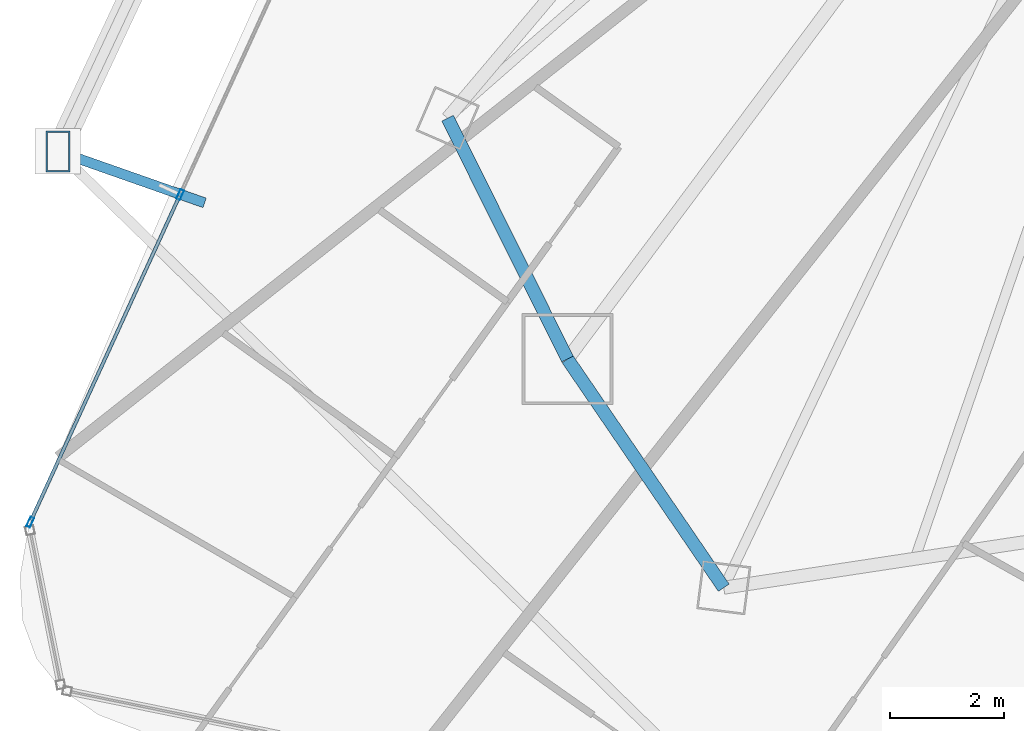
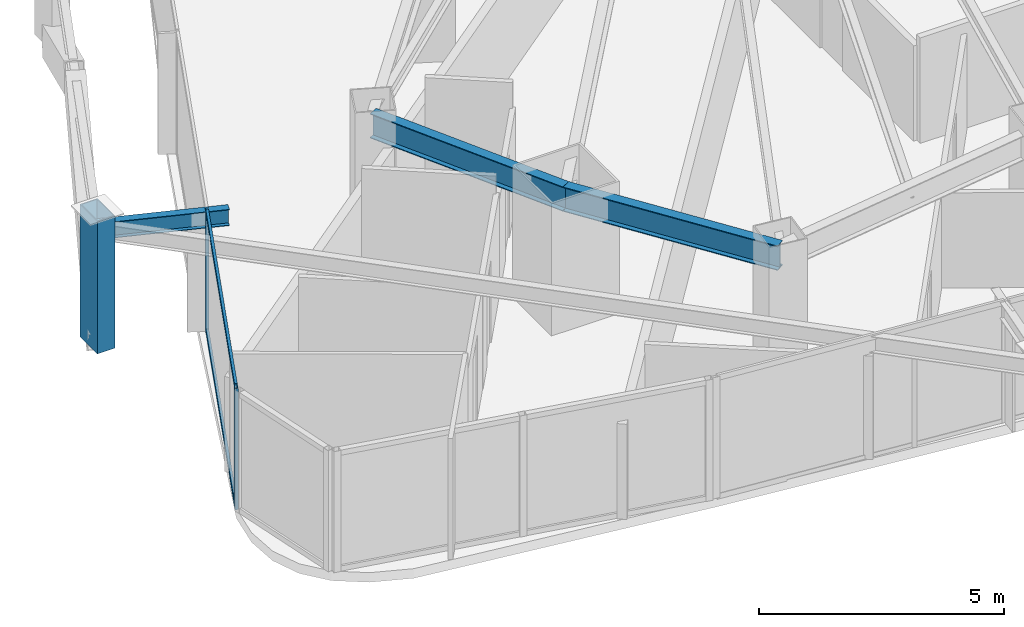
# One storey, part 5 of 38: 5 members, 3 beams, 1 element without a shape of its own.
"""IFC4 building model written with IfcOpenShell, lengths in metres."""

from ifc_helpers import new_model, si_unit, direction, frame, origin, origin_2d, place, context, subcontext, project, spatial, hollow_rectangle, i_section, extrude, material, layer, layer_set, material_profile, profile_set, type_object, element, aggregate, save


model = new_model("IFC4")

# Units and contexts
model_context = context("Model", 3, precision=1e-05, world=origin(), true_north=direction((0.0, 1.0)))
body_context = subcontext(model_context, "Body", "Model", "MODEL_VIEW")
ifc_project = project(units=[si_unit("LENGTHUNIT", "METRE"), si_unit("AREAUNIT", "SQUARE_METRE"), si_unit("VOLUMEUNIT", "CUBIC_METRE"), si_unit("PLANEANGLEUNIT", "RADIAN"), si_unit("MASSUNIT", "GRAM", prefix="KILO")], contexts=[model_context])

# Site, building, storey
site_placement = place(None, origin())
site = spatial("IfcSite", under=ifc_project, at=site_placement, CompositionType="ELEMENT")
building_placement = place(site_placement, origin())
building = spatial("IfcBuilding", under=site, at=building_placement, Name="Orvanel Arch Residences", CompositionType="ELEMENT")
storey_placement = place(building_placement, frame((0.0, 0.0, 56.60009765625)))
storey = spatial("IfcBuildingStorey", under=building, at=storey_placement, Name="L15", CompositionType="ELEMENT", Elevation=56.60009765625)

# Member
ifc_material_1 = material(Name="Structural steel AS/NZS 3678 Grade 350", Category="steel")
ifc_material_profile_1 = material_profile(ifc_material_1, hollow_rectangle(XDim=0.419921875, YDim=0.719970703125, WallThickness=0.02490234375, at=origin_2d()), Name="RHS720x420x25")
ifc_profile_set_1 = profile_set([ifc_material_profile_1], Name="Structural steel AS/NZS 3678 Grade 350")
member_type_1 = type_object("IfcMemberType", Name="CH-720RHS-EXT", PredefinedType="CHORD", material=ifc_profile_set_1)
member_1_placement = place(storey_placement, frame((5.256103515625, 13.99609375, 0.0), z_axis=(0.0, 0.0, 1.0), x_axis=(1.0, 0.0, 0.0)))
element("IfcMember", 1, at=member_1_placement, inside=storey, type_object=member_type_1, Name="L15 Outer Perimeter Frame Post 04", PredefinedType="CHORD", context=body_context, shape_type="SweptSolid", body=[
    extrude(hollow_rectangle(XDim=0.419921875, YDim=0.719970703125, WallThickness=0.02490234375, at=origin_2d()), origin(), (0.0, 0.0, 1.0), 3.2998046875),
])

# Curtain wall, members
ifc_material_2 = material(Name="Bronze-anodised aluminium AA6063-T6", Category="aluminium")
ifc_layer = layer(ifc_material_2, 0.179931640625)
ifc_layer_set = layer_set([ifc_layer], Name="Bronze-anodised aluminium AA6063-T6")
curtain_wall_type = type_object("IfcCurtainWallType", Name="CW2-LOW-SYS", PredefinedType="NOTDEFINED", material=ifc_layer_set)
curtain_wall_placement = place(storey_placement, origin())
curtain_wall = element("IfcCurtainWall", 2, at=curtain_wall_placement, inside=storey, type_object=curtain_wall_type, Name="L15 CW2-LOW-SYS Unitised Curtain Wall", PredefinedType="NOTDEFINED")
ifc_material_profile_2 = material_profile(ifc_material_2, hollow_rectangle(XDim=0.070068359375, YDim=0.179931640625, WallThickness=0.00439453125, at=origin_2d()), Name="ALU180x70x4.5")
ifc_profile_set_2 = profile_set([ifc_material_profile_2], Name="Bronze-anodised aluminium AA6063-T6")
member_type_2 = type_object("IfcMemberType", Name="MUL-180x70", PredefinedType="MULLION", material=ifc_profile_set_2)
member_2_placement = place(storey_placement, frame((7.40087890625, 13.23876953125, 0.0), z_axis=(0.0, 0.0, 1.0), x_axis=(0.909298821002, -0.416143790203, 0.0)))
member_2 = element("IfcMember", 3, at=member_2_placement, type_object=member_type_2, Name="CW-S2 mullion 3", PredefinedType="MULLION", context=body_context, shape_type="SweptSolid", body=[
    extrude(hollow_rectangle(XDim=0.070068359375, YDim=0.179931640625, WallThickness=0.00439453125, at=origin_2d()), origin(), (0.0, 0.0, 1.0), 3.02001953125),
])
member_3_placement = place(storey_placement, frame((4.76953125, 7.48876953125, 0.0), z_axis=(0.0, 0.0, 1.0), x_axis=(0.909298821002, -0.416143790203, 0.0)))
member_3 = element("IfcMember", 4, at=member_3_placement, type_object=member_type_2, Name="CW-S2 mullion 4", PredefinedType="MULLION", context=body_context, shape_type="SweptSolid", body=[
    extrude(hollow_rectangle(XDim=0.070068359375, YDim=0.179931640625, WallThickness=0.00439453125, at=origin_2d()), origin(), (0.0, 0.0, 1.0), 3.02001953125),
])

# Beams
ifc_material_3 = material(Name="Structural steel AS/NZS 3679.1 Grade 300 (300 MPa)", Category="steel")
ifc_material_profile_3 = material_profile(ifc_material_3, i_section(OverallWidth=0.177978515625, OverallDepth=0.406005859375, WebThickness=0.0078125, FlangeThickness=0.0126953125, at=origin_2d()), Name="410UB59.7")
ifc_profile_set_3 = profile_set([ifc_material_profile_3], Name="Structural steel AS/NZS 3679.1 Grade 300 (300 MPa)")
beam_type_1 = type_object("IfcBeamType", Name="OB-410UB-EXT", PredefinedType="SPANDREL", material=ifc_profile_set_3)
beam_1_placement = place(storey_placement, frame((7.830078125, 13.093017578125, 2.81689453125), z_axis=(-0.943608321191, 0.331063945754, 0.0), x_axis=(-0.331063945754, -0.943608321191, 0.0)))
element("IfcBeam", 5, at=beam_1_placement, inside=storey, type_object=beam_type_1, Name="L15 Outer Frame Radial Tie Beam 04", PredefinedType="SPANDREL", context=body_context, shape_type="SweptSolid", body=[
    extrude(i_section(OverallWidth=0.177978515625, OverallDepth=0.406005859375, WebThickness=0.0078125, FlangeThickness=0.0126953125, at=origin_2d()), origin(), (0.0, 0.0, 1.0), 2.727783203125),
])
ifc_material_profile_4 = material_profile(ifc_material_3, i_section(OverallWidth=0.22900390625, OverallDepth=0.612060546875, WebThickness=0.011962890625, FlangeThickness=0.01953125, at=origin_2d()), Name="610UB125")
ifc_profile_set_4 = profile_set([ifc_material_profile_4], Name="Structural steel AS/NZS 3679.1 Grade 300 (300 MPa)")
beam_type_2 = type_object("IfcBeamType", Name="SP-610UB", PredefinedType="SPANDREL", material=ifc_profile_set_4)
beam_2_placement = place(storey_placement, frame((12.094970703125, 14.580078125, 2.7138671875), z_axis=(0.44543469453, -0.895314432425, 0.0), x_axis=(0.895314432425, 0.44543469453, 0.0)))
element("IfcBeam", 6, at=beam_2_placement, inside=storey, type_object=beam_type_2, Name="L15 Perimeter Spandrel Beam 02", PredefinedType="SPANDREL", context=body_context, shape_type="SweptSolid", body=[
    extrude(i_section(OverallWidth=0.22900390625, OverallDepth=0.612060546875, WebThickness=0.011962890625, FlangeThickness=0.01953125, at=origin_2d()), origin(), (0.0, 0.0, 1.0), 4.723388671875),
])
beam_3_placement = place(storey_placement, frame((14.198974609375, 10.35107421875, 2.7138671875), z_axis=(0.564251579852, -0.825602903722, 0.0), x_axis=(0.825602903722, 0.564251579852, 0.0)))
element("IfcBeam", 7, at=beam_3_placement, inside=storey, type_object=beam_type_2, Name="L15 Perimeter Spandrel Beam 03", PredefinedType="SPANDREL", context=body_context, shape_type="SweptSolid", body=[
    extrude(i_section(OverallWidth=0.22900390625, OverallDepth=0.612060546875, WebThickness=0.011962890625, FlangeThickness=0.01953125, at=origin_2d()), origin(), (0.0, 0.0, 1.0), 4.859375),
])

# Member
ifc_material_profile_5 = material_profile(ifc_material_2, hollow_rectangle(XDim=0.06005859375, YDim=0.135009765625, WallThickness=0.00390625, at=origin_2d()), Name="ALU135x60x4")
ifc_profile_set_5 = profile_set([ifc_material_profile_5], Name="Bronze-anodised aluminium AA6063-T6")
member_type_3 = type_object("IfcMemberType", Name="TRN-135x60", PredefinedType="USERDEFINED", material=ifc_profile_set_5)
member_4_placement = place(storey_placement, frame((7.386474609375, 13.206787109375, 0.02978515625), z_axis=(-0.416151858143, -0.909295128638, 0.0), x_axis=(0.909295128638, -0.416151858143, 0.0)))
member_4 = element("IfcMember", 8, at=member_4_placement, type_object=member_type_3, Name="CW-S2 transom 3.1", ObjectType="TRANSOM", PredefinedType="USERDEFINED", context=body_context, shape_type="SweptSolid", body=[
    extrude(hollow_rectangle(XDim=0.06005859375, YDim=0.135009765625, WallThickness=0.00390625, at=origin_2d()), origin(), (0.0, 0.0, 1.0), 6.253173828125),
])

member_5_placement = place(storey_placement, frame((7.386474609375, 13.206787109375, 2.989990234375), z_axis=(-0.416151858143, -0.909295128638, 0.0), x_axis=(0.909295128638, -0.416151858143, 0.0)))
member_5 = element("IfcMember", 9, at=member_5_placement, type_object=member_type_3, Name="CW-S2 transom 3.2", ObjectType="TRANSOM", PredefinedType="USERDEFINED", context=body_context, shape_type="SweptSolid", body=[
    extrude(hollow_rectangle(XDim=0.06005859375, YDim=0.135009765625, WallThickness=0.00390625, at=origin_2d()), origin(), (0.0, 0.0, 1.0), 6.253173828125),
])

aggregate(curtain_wall, [member_2, member_3, member_4, member_5])

save(model, "model.ifc")
